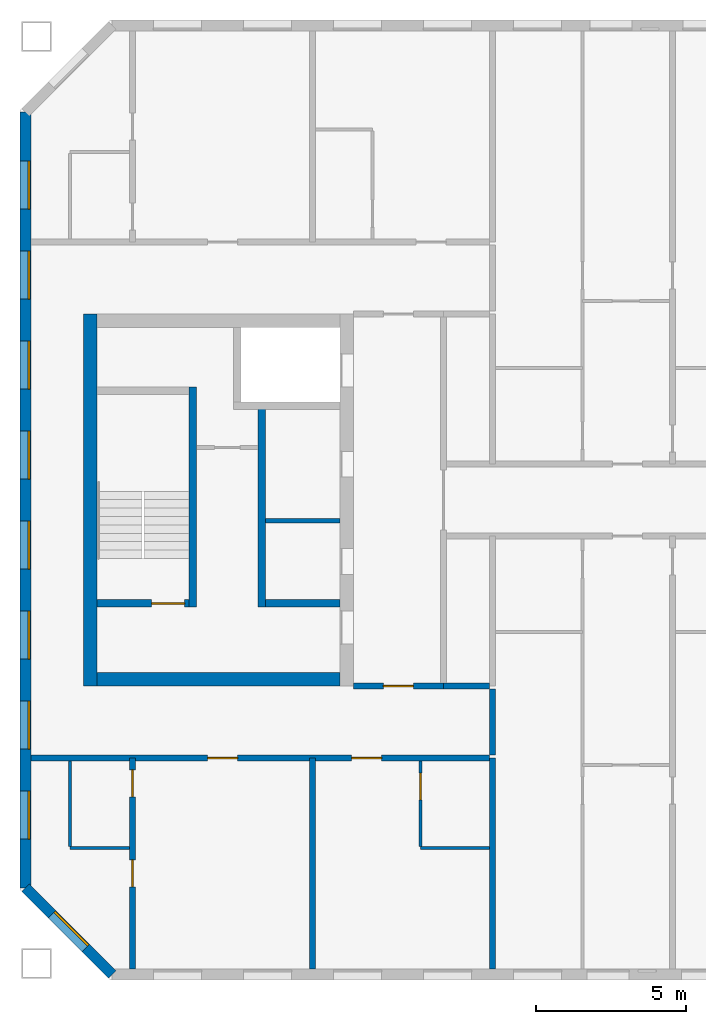
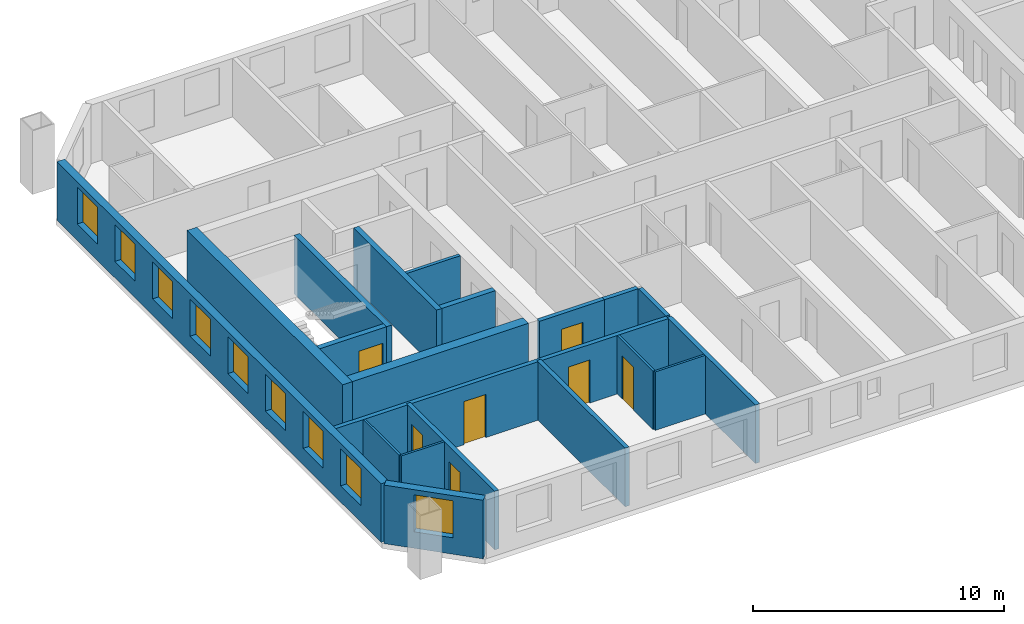
# One storey, part 2 of 15: 20 walls, 9 windows, 7 doors, 16 openings.
"""IFC4 building model written with IfcOpenShell, lengths in metres."""

from ifc_helpers import new_model, si_unit, direction, frame, frame_2d, origin, place, context, subcontext, project, spatial, rectangle, extrude, material, layer, layer_set, type_object, element, fill, save


model = new_model("IFC4")

# Units and contexts
model_context = context("Model", 3, precision=1e-05, world=origin(), true_north=direction((0.0, 1.0)))
body_context = subcontext(model_context, "Body", "Model", "MODEL_VIEW")
ifc_project = project(units=[si_unit("LENGTHUNIT", "METRE"), si_unit("AREAUNIT", "SQUARE_METRE"), si_unit("VOLUMEUNIT", "CUBIC_METRE"), si_unit("PLANEANGLEUNIT", "RADIAN"), si_unit("MASSUNIT", "GRAM", prefix="KILO")], contexts=[model_context])

# Site, building, storey
site_placement = place(None, origin())
site = spatial("IfcSite", under=ifc_project, at=site_placement, CompositionType="ELEMENT")
building_placement = place(site_placement, origin())
building = spatial("IfcBuilding", under=site, at=building_placement, Name="Tuart Gate Housing", CompositionType="ELEMENT")
storey_placement = place(building_placement, frame((0.0, 0.0, 191.300048828125)))
storey = spatial("IfcBuildingStorey", under=building, at=storey_placement, Name="L54", CompositionType="ELEMENT", Elevation=191.300048828125)

# Wall, opening, window
ifc_material_1 = material(Name="Brick", Category="masonry")
ifc_layer_1 = layer(ifc_material_1, 0.360107421875)
ifc_layer_set_1 = layer_set([ifc_layer_1], Name="Brick pier and spandrel wall 360")
wall_type_1 = type_object("IfcWallType", Name="Brick pier and spandrel wall 360", PredefinedType="STANDARD", material=ifc_layer_set_1)
wall_1_placement = place(storey_placement, frame((30.429931640625, 57.07470703125, 0.0), z_axis=(0.0, 0.0, 1.0), x_axis=(0.707106781187, -0.707106781187, 0.0)))
wall_1 = element("IfcWall", 1, at=wall_1_placement, inside=storey, type_object=wall_type_1, Name="External wall A-SW L54", PredefinedType="STANDARD", context=body_context, shape_type="SweptSolid", body=[
    extrude(rectangle(XDim=4.09375, YDim=0.360107421875, at=frame_2d((2.046875, 0.0))), origin(), (0.0, 0.0, 1.0), 2.849853515625),
])
opening_1_placement = place(wall_1_placement, frame((1.2470703125, 0.0, 0.800048828125)))
opening_1 = element("IfcOpeningElement", 2, at=opening_1_placement, cuts=wall_1, Name="Opening W1", PredefinedType="OPENING", context=body_context, shape_type="SweptSolid", body=[
    extrude(rectangle(XDim=1.60009765625, YDim=1.800048828125, at=frame_2d((0.800048828125, 0.89990234375))), frame((0.0, 0.18994140625, 0.0), z_axis=(0.0, -1.0, 0.0), x_axis=(1.0, 0.0, 0.0)), (0.0, 0.0, 1.0), 0.380126953125),
])
ifc_material_2 = material(Name="Aluminium frame with clear glass", Category="aluminium")
window_type = type_object("IfcWindowType", Name="Punched window 1600 x 1800", PartitioningType="SINGLE_PANEL", PredefinedType="WINDOW", material=ifc_material_2)
window_1_placement = place(opening_1_placement, origin())
window_1 = element("IfcWindow", 3, at=window_1_placement, inside=storey, type_object=window_type, Name="Window W1", OverallHeight=1.800048828125, OverallWidth=1.60009765625, PartitioningType="SINGLE_PANEL", PredefinedType="WINDOW", context=body_context, shape_type="SweptSolid", body=[
    extrude(rectangle(XDim=1.60009765625, YDim=1.800048828125, at=frame_2d((0.800048828125, 0.89990234375))), frame((0.0, 0.150146484375, 0.0), z_axis=(0.0, -1.0, 0.0), x_axis=(1.0, 0.0, 0.0)), (0.0, 0.0, 1.0), 0.06005859375),
])
fill(opening_1, window_1)

# Wall, openings, windows
wall_2_placement = place(storey_placement, frame((30.429931640625, 82.92529296875, 0.0), z_axis=(0.0, 0.0, 1.0), x_axis=(0.0, -1.0, 0.0)))
wall_2 = element("IfcWall", 4, at=wall_2_placement, inside=storey, type_object=wall_type_1, Name="External wall A-W L54", PredefinedType="STANDARD", context=body_context, shape_type="SweptSolid", body=[
    extrude(rectangle(XDim=25.850830078125, YDim=0.360107421875, at=frame_2d((12.92529296875, 0.0))), origin(), (0.0, 0.0, 1.0), 2.849853515625),
])
opening_2_placement = place(wall_2_placement, frame((1.62548828125, 0.0, 0.800048828125)))
opening_2 = element("IfcOpeningElement", 5, at=opening_2_placement, cuts=wall_2, Name="Opening W1", PredefinedType="OPENING", context=body_context, shape_type="SweptSolid", body=[
    extrude(rectangle(XDim=1.60009765625, YDim=1.800048828125, at=frame_2d((0.800048828125, 0.89990234375))), frame((0.0, 0.18994140625, 0.0), z_axis=(0.0, -1.0, 0.0), x_axis=(1.0, 0.0, 0.0)), (0.0, 0.0, 1.0), 0.380126953125),
])
opening_3_placement = place(wall_2_placement, frame((4.62548828125, 0.0, 0.800048828125)))
opening_3 = element("IfcOpeningElement", 6, at=opening_3_placement, cuts=wall_2, Name="Opening W1", PredefinedType="OPENING", context=body_context, shape_type="SweptSolid", body=[
    extrude(rectangle(XDim=1.60009765625, YDim=1.800048828125, at=frame_2d((0.800048828125, 0.89990234375))), frame((0.0, 0.18994140625, 0.0), z_axis=(0.0, -1.0, 0.0), x_axis=(1.0, 0.0, 0.0)), (0.0, 0.0, 1.0), 0.380126953125),
])
opening_4_placement = place(wall_2_placement, frame((7.62548828125, 0.0, 0.800048828125)))
opening_4 = element("IfcOpeningElement", 7, at=opening_4_placement, cuts=wall_2, Name="Opening W1", PredefinedType="OPENING", context=body_context, shape_type="SweptSolid", body=[
    extrude(rectangle(XDim=1.60009765625, YDim=1.800048828125, at=frame_2d((0.800048828125, 0.89990234375))), frame((0.0, 0.18994140625, 0.0), z_axis=(0.0, -1.0, 0.0), x_axis=(1.0, 0.0, 0.0)), (0.0, 0.0, 1.0), 0.380126953125),
])
opening_5_placement = place(wall_2_placement, frame((10.62548828125, 0.0, 0.800048828125)))
opening_5 = element("IfcOpeningElement", 8, at=opening_5_placement, cuts=wall_2, Name="Opening W1", PredefinedType="OPENING", context=body_context, shape_type="SweptSolid", body=[
    extrude(rectangle(XDim=1.60009765625, YDim=1.800048828125, at=frame_2d((0.800048828125, 0.89990234375))), frame((0.0, 0.18994140625, 0.0), z_axis=(0.0, -1.0, 0.0), x_axis=(1.0, 0.0, 0.0)), (0.0, 0.0, 1.0), 0.380126953125),
])
opening_6_placement = place(wall_2_placement, frame((13.62548828125, 0.0, 0.800048828125)))
opening_6 = element("IfcOpeningElement", 9, at=opening_6_placement, cuts=wall_2, Name="Opening W1", PredefinedType="OPENING", context=body_context, shape_type="SweptSolid", body=[
    extrude(rectangle(XDim=1.60009765625, YDim=1.800048828125, at=frame_2d((0.800048828125, 0.89990234375))), frame((0.0, 0.18994140625, 0.0), z_axis=(0.0, -1.0, 0.0), x_axis=(1.0, 0.0, 0.0)), (0.0, 0.0, 1.0), 0.380126953125),
])
opening_7_placement = place(wall_2_placement, frame((16.62548828125, 0.0, 0.800048828125)))
opening_7 = element("IfcOpeningElement", 10, at=opening_7_placement, cuts=wall_2, Name="Opening W1", PredefinedType="OPENING", context=body_context, shape_type="SweptSolid", body=[
    extrude(rectangle(XDim=1.60009765625, YDim=1.800048828125, at=frame_2d((0.800048828125, 0.89990234375))), frame((0.0, 0.18994140625, 0.0), z_axis=(0.0, -1.0, 0.0), x_axis=(1.0, 0.0, 0.0)), (0.0, 0.0, 1.0), 0.380126953125),
])
opening_8_placement = place(wall_2_placement, frame((19.62548828125, 0.0, 0.800048828125)))
opening_8 = element("IfcOpeningElement", 11, at=opening_8_placement, cuts=wall_2, Name="Opening W1", PredefinedType="OPENING", context=body_context, shape_type="SweptSolid", body=[
    extrude(rectangle(XDim=1.60009765625, YDim=1.800048828125, at=frame_2d((0.800048828125, 0.89990234375))), frame((0.0, 0.18994140625, 0.0), z_axis=(0.0, -1.0, 0.0), x_axis=(1.0, 0.0, 0.0)), (0.0, 0.0, 1.0), 0.380126953125),
])
opening_9_placement = place(wall_2_placement, frame((22.62548828125, 0.0, 0.800048828125)))
opening_9 = element("IfcOpeningElement", 12, at=opening_9_placement, cuts=wall_2, Name="Opening W1", PredefinedType="OPENING", context=body_context, shape_type="SweptSolid", body=[
    extrude(rectangle(XDim=1.60009765625, YDim=1.800048828125, at=frame_2d((0.800048828125, 0.89990234375))), frame((0.0, 0.18994140625, 0.0), z_axis=(0.0, -1.0, 0.0), x_axis=(1.0, 0.0, 0.0)), (0.0, 0.0, 1.0), 0.380126953125),
])
window_2_placement = place(opening_2_placement, origin())
window_2 = element("IfcWindow", 13, at=window_2_placement, inside=storey, type_object=window_type, Name="Window W1", OverallHeight=1.800048828125, OverallWidth=1.60009765625, PartitioningType="SINGLE_PANEL", PredefinedType="WINDOW", context=body_context, shape_type="SweptSolid", body=[
    extrude(rectangle(XDim=1.60009765625, YDim=1.800048828125, at=frame_2d((0.800048828125, 0.89990234375))), frame((0.0, 0.150146484375, 0.0), z_axis=(0.0, -1.0, 0.0), x_axis=(1.0, 0.0, 0.0)), (0.0, 0.0, 1.0), 0.06005859375),
])
fill(opening_2, window_2)
window_3_placement = place(opening_3_placement, origin())
window_3 = element("IfcWindow", 14, at=window_3_placement, inside=storey, type_object=window_type, Name="Window W1", OverallHeight=1.800048828125, OverallWidth=1.60009765625, PartitioningType="SINGLE_PANEL", PredefinedType="WINDOW", context=body_context, shape_type="SweptSolid", body=[
    extrude(rectangle(XDim=1.60009765625, YDim=1.800048828125, at=frame_2d((0.800048828125, 0.89990234375))), frame((0.0, 0.150146484375, 0.0), z_axis=(0.0, -1.0, 0.0), x_axis=(1.0, 0.0, 0.0)), (0.0, 0.0, 1.0), 0.06005859375),
])
fill(opening_3, window_3)
window_4_placement = place(opening_4_placement, origin())
window_4 = element("IfcWindow", 15, at=window_4_placement, inside=storey, type_object=window_type, Name="Window W1", OverallHeight=1.800048828125, OverallWidth=1.60009765625, PartitioningType="SINGLE_PANEL", PredefinedType="WINDOW", context=body_context, shape_type="SweptSolid", body=[
    extrude(rectangle(XDim=1.60009765625, YDim=1.800048828125, at=frame_2d((0.800048828125, 0.89990234375))), frame((0.0, 0.150146484375, 0.0), z_axis=(0.0, -1.0, 0.0), x_axis=(1.0, 0.0, 0.0)), (0.0, 0.0, 1.0), 0.06005859375),
])
fill(opening_4, window_4)
window_5_placement = place(opening_5_placement, origin())
window_5 = element("IfcWindow", 16, at=window_5_placement, inside=storey, type_object=window_type, Name="Window W1", OverallHeight=1.800048828125, OverallWidth=1.60009765625, PartitioningType="SINGLE_PANEL", PredefinedType="WINDOW", context=body_context, shape_type="SweptSolid", body=[
    extrude(rectangle(XDim=1.60009765625, YDim=1.800048828125, at=frame_2d((0.800048828125, 0.89990234375))), frame((0.0, 0.150146484375, 0.0), z_axis=(0.0, -1.0, 0.0), x_axis=(1.0, 0.0, 0.0)), (0.0, 0.0, 1.0), 0.06005859375),
])
fill(opening_5, window_5)
window_6_placement = place(opening_6_placement, origin())
window_6 = element("IfcWindow", 17, at=window_6_placement, inside=storey, type_object=window_type, Name="Window W1", OverallHeight=1.800048828125, OverallWidth=1.60009765625, PartitioningType="SINGLE_PANEL", PredefinedType="WINDOW", context=body_context, shape_type="SweptSolid", body=[
    extrude(rectangle(XDim=1.60009765625, YDim=1.800048828125, at=frame_2d((0.800048828125, 0.89990234375))), frame((0.0, 0.150146484375, 0.0), z_axis=(0.0, -1.0, 0.0), x_axis=(1.0, 0.0, 0.0)), (0.0, 0.0, 1.0), 0.06005859375),
])
fill(opening_6, window_6)
window_7_placement = place(opening_7_placement, origin())
window_7 = element("IfcWindow", 18, at=window_7_placement, inside=storey, type_object=window_type, Name="Window W1", OverallHeight=1.800048828125, OverallWidth=1.60009765625, PartitioningType="SINGLE_PANEL", PredefinedType="WINDOW", context=body_context, shape_type="SweptSolid", body=[
    extrude(rectangle(XDim=1.60009765625, YDim=1.800048828125, at=frame_2d((0.800048828125, 0.89990234375))), frame((0.0, 0.150146484375, 0.0), z_axis=(0.0, -1.0, 0.0), x_axis=(1.0, 0.0, 0.0)), (0.0, 0.0, 1.0), 0.06005859375),
])
fill(opening_7, window_7)
window_8_placement = place(opening_8_placement, origin())
window_8 = element("IfcWindow", 19, at=window_8_placement, inside=storey, type_object=window_type, Name="Window W1", OverallHeight=1.800048828125, OverallWidth=1.60009765625, PartitioningType="SINGLE_PANEL", PredefinedType="WINDOW", context=body_context, shape_type="SweptSolid", body=[
    extrude(rectangle(XDim=1.60009765625, YDim=1.800048828125, at=frame_2d((0.800048828125, 0.89990234375))), frame((0.0, 0.150146484375, 0.0), z_axis=(0.0, -1.0, 0.0), x_axis=(1.0, 0.0, 0.0)), (0.0, 0.0, 1.0), 0.06005859375),
])
fill(opening_8, window_8)
window_9_placement = place(opening_9_placement, origin())
window_9 = element("IfcWindow", 20, at=window_9_placement, inside=storey, type_object=window_type, Name="Window W1", OverallHeight=1.800048828125, OverallWidth=1.60009765625, PartitioningType="SINGLE_PANEL", PredefinedType="WINDOW", context=body_context, shape_type="SweptSolid", body=[
    extrude(rectangle(XDim=1.60009765625, YDim=1.800048828125, at=frame_2d((0.800048828125, 0.89990234375))), frame((0.0, 0.150146484375, 0.0), z_axis=(0.0, -1.0, 0.0), x_axis=(1.0, 0.0, 0.0)), (0.0, 0.0, 1.0), 0.06005859375),
])
fill(opening_9, window_9)

# Walls
ifc_material_3 = material(Name="Plasterboard partition")
ifc_layer_2 = layer(ifc_material_3, 0.14990234375)
ifc_layer_set_2 = layer_set([ifc_layer_2], Name="Core partition 150")
wall_type_2 = type_object("IfcWallType", Name="Core partition 150", PredefinedType="PARTITIONING", material=ifc_layer_set_2)
wall_3_placement = place(storey_placement, frame((40.909912109375, 69.300048828125, 0.0), z_axis=(0.0, 0.0, 1.0), x_axis=(-1.0, 0.0, 0.0)))
element("IfcWall", 21, at=wall_3_placement, inside=storey, type_object=wall_type_2, Name="Core partition AK.4", PredefinedType="PARTITIONING", context=body_context, shape_type="SweptSolid", body=[
    extrude(rectangle(XDim=2.474853515625, YDim=0.14990234375, at=frame_2d((1.2373046875, 0.0))), origin(), (0.0, 0.0, 1.0), 2.849853515625),
])
ifc_material_4 = material(Name="Concrete C40", Category="concrete")
ifc_layer_3 = layer(ifc_material_4, 0.25)
ifc_layer_set_3 = layer_set([ifc_layer_3], Name="Core wall 250 C40")
wall_type_3 = type_object("IfcWallType", Name="Core wall 250 C40", PredefinedType="SHEAR", material=ifc_layer_set_3)
wall_4_placement = place(storey_placement, frame((40.909912109375, 66.550048828125, 0.0), z_axis=(0.0, 0.0, 1.0), x_axis=(-1.0, 0.0, 0.0)))
element("IfcWall", 22, at=wall_4_placement, inside=storey, type_object=wall_type_3, Name="Core wall AK.5", PredefinedType="SHEAR", context=body_context, shape_type="SweptSolid", body=[
    extrude(rectangle(XDim=2.474853515625, YDim=0.25, at=frame_2d((1.2373046875, 0.0))), origin(), (0.0, 0.0, 1.0), 2.849853515625),
])

# Wall, opening, door
wall_5_placement = place(storey_placement, frame((35.885009765625, 66.550048828125, 0.0), z_axis=(0.0, 0.0, 1.0), x_axis=(-1.0, 0.0, 0.0)))
wall_5 = element("IfcWall", 23, at=wall_5_placement, inside=storey, type_object=wall_type_3, Name="Core wall AK.6", PredefinedType="SHEAR", context=body_context, shape_type="SweptSolid", body=[
    extrude(rectangle(XDim=3.074951171875, YDim=0.25, at=frame_2d((1.53759765625, 0.0))), origin(), (0.0, 0.0, 1.0), 2.849853515625),
])
opening_10_placement = place(wall_5_placement, frame((0.14990234375, 0.0, 0.0)))
opening_10 = element("IfcOpeningElement", 24, at=opening_10_placement, cuts=wall_5, Name="Opening D2642", PredefinedType="OPENING", context=body_context, shape_type="SweptSolid", body=[
    extrude(rectangle(XDim=1.10009765625, YDim=2.10009765625, at=frame_2d((0.550048828125, 1.050048828125))), frame((0.0, 0.135009765625, 0.0), z_axis=(0.0, -1.0, 0.0), x_axis=(1.0, 0.0, 0.0)), (0.0, 0.0, 1.0), 0.27001953125),
])
ifc_material_5 = material(Name="Steel fire door", Category="steel")
door_type_1 = type_object("IfcDoorType", Name="Stair door 1100 x 2100 RH", OperationType="SINGLE_SWING_RIGHT", PredefinedType="DOOR", material=ifc_material_5)
door_1_placement = place(opening_10_placement, frame((1.10009765625, 0.0, 0.0), z_axis=(0.0, 0.0, 1.0), x_axis=(-1.0, 0.0, 0.0)))
door_1 = element("IfcDoor", 25, at=door_1_placement, inside=storey, type_object=door_type_1, Name="Stair door AK.SD", OperationType="SINGLE_SWING_RIGHT", OverallHeight=2.10009765625, OverallWidth=1.10009765625, PredefinedType="DOOR", context=body_context, shape_type="SweptSolid", body=[
    extrude(rectangle(XDim=1.10009765625, YDim=2.10009765625, at=frame_2d((0.550048828125, 1.050048828125))), frame((0.0, 0.025146484375, 0.0), z_axis=(0.0, -1.0, 0.0), x_axis=(1.0, 0.0, 0.0)), (0.0, 0.0, 1.0), 0.050048828125),
])
fill(opening_10, door_1)

# Walls
wall_6_placement = place(storey_placement, frame((38.31005859375, 73.02490234375, 0.0), z_axis=(0.0, 0.0, 1.0), x_axis=(0.0, -1.0, 0.0)))
element("IfcWall", 26, at=wall_6_placement, inside=storey, type_object=wall_type_3, Name="Core wall AK.7", PredefinedType="SHEAR", context=body_context, shape_type="SweptSolid", body=[
    extrude(rectangle(XDim=6.599853515625, YDim=0.25, at=frame_2d((3.2998046875, 0.0))), origin(), (0.0, 0.0, 1.0), 2.849853515625),
])
wall_7_placement = place(storey_placement, frame((36.010009765625, 73.77490234375, 0.0), z_axis=(0.0, 0.0, 1.0), x_axis=(0.0, -1.0, 0.0)))
element("IfcWall", 27, at=wall_7_placement, inside=storey, type_object=wall_type_3, Name="Core wall AK.9", PredefinedType="SHEAR", context=body_context, shape_type="SweptSolid", body=[
    extrude(rectangle(XDim=7.349853515625, YDim=0.25, at=frame_2d((3.6748046875, 0.0))), origin(), (0.0, 0.0, 1.0), 2.849853515625),
])
ifc_material_6 = material(Name="Concrete C40", Category="concrete")
ifc_layer_4 = layer(ifc_material_6, 0.449951171875)
ifc_layer_set_4 = layer_set([ifc_layer_4], Name="Core wall 450 C40")
wall_type_4 = type_object("IfcWallType", Name="Core wall 450 C40", PredefinedType="SHEAR", material=ifc_layer_set_4)
wall_8_placement = place(storey_placement, frame((32.5849609375, 76.199951171875, 0.0), z_axis=(0.0, 0.0, 1.0), x_axis=(0.0, -1.0, 0.0)))
element("IfcWall", 28, at=wall_8_placement, inside=storey, type_object=wall_type_4, Name="Core wall AK back", PredefinedType="SHEAR", context=body_context, shape_type="SweptSolid", body=[
    extrude(rectangle(XDim=12.39990234375, YDim=0.449951171875, at=frame_2d((6.199951171875, 0.0))), origin(), (0.0, 0.0, 1.0), 2.849853515625),
])
wall_9_placement = place(storey_placement, frame((40.909912109375, 64.02490234375, 0.0), z_axis=(0.0, 0.0, 1.0), x_axis=(-1.0, 0.0, 0.0)))
element("IfcWall", 29, at=wall_9_placement, inside=storey, type_object=wall_type_4, Name="Core wall AK north", PredefinedType="SHEAR", context=body_context, shape_type="SweptSolid", body=[
    extrude(rectangle(XDim=8.099853515625, YDim=0.449951171875, at=frame_2d((4.0498046875, 0.0))), origin(), (0.0, 0.0, 1.0), 2.849853515625),
])

# Wall, openings, doors
ifc_material_7 = material(Name="Concrete masonry 15 MPa", Category="masonry")
ifc_layer_5 = layer(ifc_material_7, 0.199951171875)
ifc_layer_set_5 = layer_set([ifc_layer_5], Name="Corridor wall masonry 200")
wall_type_5 = type_object("IfcWallType", Name="Corridor wall masonry 200", PredefinedType="PARTITIONING", material=ifc_layer_set_5)
wall_10_placement = place(storey_placement, frame((30.610107421875, 61.39990234375, 0.0), z_axis=(0.0, 0.0, 1.0), x_axis=(1.0, 0.0, 0.0)))
wall_10 = element("IfcWall", 30, at=wall_10_placement, inside=storey, type_object=wall_type_5, Name="Corridor wall masonry 200", PredefinedType="PARTITIONING", context=body_context, shape_type="SweptSolid", body=[
    extrude(rectangle(XDim=15.289794921875, YDim=0.199951171875, at=frame_2d((7.64501953125, 0.0))), origin(), (0.0, 0.0, 1.0), 2.849853515625),
])
opening_11_placement = place(wall_10_placement, frame((10.68994140625, 0.0, 0.0)))
opening_11 = element("IfcOpeningElement", 31, at=opening_11_placement, cuts=wall_10, Name="Opening D2653", PredefinedType="OPENING", context=body_context, shape_type="SweptSolid", body=[
    extrude(rectangle(XDim=1.0, YDim=2.10009765625, at=frame_2d((0.5, 1.050048828125))), frame((0.0, 0.10986328125, 0.0), z_axis=(0.0, -1.0, 0.0), x_axis=(1.0, 0.0, 0.0)), (0.0, 0.0, 1.0), 0.219970703125),
])
opening_12_placement = place(wall_10_placement, frame((5.889892578125, 0.0, 0.0)))
opening_12 = element("IfcOpeningElement", 32, at=opening_12_placement, cuts=wall_10, Name="Opening D2654", PredefinedType="OPENING", context=body_context, shape_type="SweptSolid", body=[
    extrude(rectangle(XDim=1.0, YDim=2.10009765625, at=frame_2d((0.5, 1.050048828125))), frame((0.0, 0.10986328125, 0.0), z_axis=(0.0, -1.0, 0.0), x_axis=(1.0, 0.0, 0.0)), (0.0, 0.0, 1.0), 0.219970703125),
])
ifc_material_8 = material(Name="Timber door leaf in steel frame", Category="steel")
door_type_2 = type_object("IfcDoorType", Name="Flat entrance door 1000 RH", OperationType="SINGLE_SWING_RIGHT", PredefinedType="DOOR", material=ifc_material_8)
door_2_placement = place(opening_11_placement, frame((1.0, 0.0, 0.0), z_axis=(0.0, 0.0, 1.0), x_axis=(-1.0, 0.0, 0.0)))
door_2 = element("IfcDoor", 33, at=door_2_placement, inside=storey, type_object=door_type_2, Name="Flat entrance door", OperationType="SINGLE_SWING_RIGHT", OverallHeight=2.10009765625, OverallWidth=1.0, PredefinedType="DOOR", context=body_context, shape_type="SweptSolid", body=[
    extrude(rectangle(XDim=1.0, YDim=2.10009765625, at=frame_2d((0.5, 1.050048828125))), frame((0.0, 0.025146484375, 0.0), z_axis=(0.0, -1.0, 0.0), x_axis=(1.0, 0.0, 0.0)), (0.0, 0.0, 1.0), 0.050048828125),
])
fill(opening_11, door_2)
door_3_placement = place(opening_12_placement, frame((1.0, 0.0, 0.0), z_axis=(0.0, 0.0, 1.0), x_axis=(-1.0, 0.0, 0.0)))
door_3 = element("IfcDoor", 34, at=door_3_placement, inside=storey, type_object=door_type_2, Name="Flat entrance door", OperationType="SINGLE_SWING_RIGHT", OverallHeight=2.10009765625, OverallWidth=1.0, PredefinedType="DOOR", context=body_context, shape_type="SweptSolid", body=[
    extrude(rectangle(XDim=1.0, YDim=2.10009765625, at=frame_2d((0.5, 1.050048828125))), frame((0.0, 0.025146484375, 0.0), z_axis=(0.0, -1.0, 0.0), x_axis=(1.0, 0.0, 0.0)), (0.0, 0.0, 1.0), 0.050048828125),
])
fill(opening_12, door_3)

# Walls
wall_11_placement = place(storey_placement, frame((44.360107421875, 63.800048828125, 0.0), z_axis=(0.0, 0.0, 1.0), x_axis=(1.0, 0.0, 0.0)))
element("IfcWall", 35, at=wall_11_placement, inside=storey, type_object=wall_type_5, Name="Corridor wall masonry 200", PredefinedType="PARTITIONING", context=body_context, shape_type="SweptSolid", body=[
    extrude(rectangle(XDim=1.539794921875, YDim=0.199951171875, at=frame_2d((0.77001953125, 0.0))), origin(), (0.0, 0.0, 1.0), 2.849853515625),
])
wall_12_placement = place(storey_placement, frame((46.0, 61.5, 0.0), z_axis=(0.0, 0.0, 1.0), x_axis=(0.0, 1.0, 0.0)))
element("IfcWall", 36, at=wall_12_placement, inside=storey, type_object=wall_type_5, Name="Corridor wall masonry 200", PredefinedType="PARTITIONING", context=body_context, shape_type="SweptSolid", body=[
    extrude(rectangle(XDim=2.199951171875, YDim=0.199951171875, at=frame_2d((1.10009765625, 0.0))), origin(), (0.0, 0.0, 1.0), 2.849853515625),
])

# Wall, opening, door
ifc_material_9 = material(Name="Concrete masonry 15 MPa", Category="masonry")
ifc_layer_6 = layer(ifc_material_9, 0.199951171875)
ifc_layer_set_6 = layer_set([ifc_layer_6], Name="Enclosure wall masonry 200")
wall_type_6 = type_object("IfcWallType", Name="Enclosure wall masonry 200", PredefinedType="PARTITIONING", material=ifc_layer_set_6)
wall_13_placement = place(storey_placement, frame((41.360107421875, 63.800048828125, 0.0), z_axis=(0.0, 0.0, 1.0), x_axis=(1.0, 0.0, 0.0)))
wall_13 = element("IfcWall", 37, at=wall_13_placement, inside=storey, type_object=wall_type_6, Name="Enclosure wall masonry 200", PredefinedType="PARTITIONING", context=body_context, shape_type="SweptSolid", body=[
    extrude(rectangle(XDim=3.0, YDim=0.199951171875, at=frame_2d((1.5, 0.0))), origin(), (0.0, 0.0, 1.0), 2.849853515625),
])
opening_13_placement = place(wall_13_placement, frame((1.0, 0.0, 0.0)))
opening_13 = element("IfcOpeningElement", 38, at=opening_13_placement, cuts=wall_13, Name="Opening D2643", PredefinedType="OPENING", context=body_context, shape_type="SweptSolid", body=[
    extrude(rectangle(XDim=1.0, YDim=2.10009765625, at=frame_2d((0.5, 1.050048828125))), frame((0.0, 0.10986328125, 0.0), z_axis=(0.0, -1.0, 0.0), x_axis=(1.0, 0.0, 0.0)), (0.0, 0.0, 1.0), 0.219970703125),
])
ifc_material_10 = material(Name="Timber door leaf in steel frame", Category="steel")
door_type_3 = type_object("IfcDoorType", Name="Fire door 1000", OperationType="SINGLE_SWING_LEFT", PredefinedType="DOOR", material=ifc_material_10)
door_4_placement = place(opening_13_placement, frame((1.0, 0.0, 0.0), z_axis=(0.0, 0.0, 1.0), x_axis=(-1.0, 0.0, 0.0)))
door_4 = element("IfcDoor", 39, at=door_4_placement, inside=storey, type_object=door_type_3, Name="Fire door", OperationType="SINGLE_SWING_LEFT", OverallHeight=2.10009765625, OverallWidth=1.0, PredefinedType="DOOR", context=body_context, shape_type="SweptSolid", body=[
    extrude(rectangle(XDim=1.0, YDim=2.10009765625, at=frame_2d((0.5, 1.050048828125))), frame((0.0, 0.025146484375, 0.0), z_axis=(0.0, -1.0, 0.0), x_axis=(1.0, 0.0, 0.0)), (0.0, 0.0, 1.0), 0.050048828125),
])
fill(opening_13, door_4)

# Walls
ifc_material_11 = material(Name="Gypsum board on steel studs", Category="steel")
ifc_layer_7 = layer(ifc_material_11, 0.10009765625)
ifc_layer_set_7 = layer_set([ifc_layer_7], Name="Partition 100")
wall_type_7 = type_object("IfcWallType", Name="Partition 100", PredefinedType="PARTITIONING", material=ifc_layer_set_7)
wall_14_placement = place(storey_placement, frame((31.909912109375, 58.39990234375, 0.0), z_axis=(0.0, 0.0, 1.0), x_axis=(1.0, 0.0, 0.0)))
element("IfcWall", 40, at=wall_14_placement, inside=storey, type_object=wall_type_7, Name="Partition 100", PredefinedType="PARTITIONING", context=body_context, shape_type="SweptSolid", body=[
    extrude(rectangle(XDim=1.989990234375, YDim=0.10009765625, at=frame_2d((0.9951171875, 0.0))), origin(), (0.0, 0.0, 1.0), 2.849853515625),
])
wall_15_placement = place(storey_placement, frame((43.60009765625, 58.39990234375, 0.0), z_axis=(0.0, 0.0, 1.0), x_axis=(1.0, 0.0, 0.0)))
element("IfcWall", 41, at=wall_15_placement, inside=storey, type_object=wall_type_7, Name="Partition 100", PredefinedType="PARTITIONING", context=body_context, shape_type="SweptSolid", body=[
    extrude(rectangle(XDim=2.2998046875, YDim=0.10009765625, at=frame_2d((1.14990234375, 0.0))), origin(), (0.0, 0.0, 1.0), 2.849853515625),
])
wall_16_placement = place(storey_placement, frame((31.909912109375, 58.449951171875, 0.0), z_axis=(0.0, 0.0, 1.0), x_axis=(0.0, 1.0, 0.0)))
element("IfcWall", 42, at=wall_16_placement, inside=storey, type_object=wall_type_7, Name="Partition 100", PredefinedType="PARTITIONING", context=body_context, shape_type="SweptSolid", body=[
    extrude(rectangle(XDim=2.85009765625, YDim=0.10009765625, at=frame_2d((1.425048828125, 0.0))), origin(), (0.0, 0.0, 1.0), 2.849853515625),
])

# Wall, opening, door
wall_17_placement = place(storey_placement, frame((43.60009765625, 58.449951171875, 0.0), z_axis=(0.0, 0.0, 1.0), x_axis=(0.0, 1.0, 0.0)))
wall_17 = element("IfcWall", 43, at=wall_17_placement, inside=storey, type_object=wall_type_7, Name="Partition 100", PredefinedType="PARTITIONING", context=body_context, shape_type="SweptSolid", body=[
    extrude(rectangle(XDim=2.85009765625, YDim=0.10009765625, at=frame_2d((1.425048828125, 0.0))), origin(), (0.0, 0.0, 1.0), 2.849853515625),
])
opening_14_placement = place(wall_17_placement, frame((1.550048828125, 0.0, 0.0)))
opening_14 = element("IfcOpeningElement", 44, at=opening_14_placement, cuts=wall_17, Name="Opening D2659", PredefinedType="OPENING", context=body_context, shape_type="SweptSolid", body=[
    extrude(rectangle(XDim=0.89990234375, YDim=2.10009765625, at=frame_2d((0.449951171875, 1.050048828125))), frame((0.0, 0.06005859375, 0.0), z_axis=(0.0, -1.0, 0.0), x_axis=(1.0, 0.0, 0.0)), (0.0, 0.0, 1.0), 0.1201171875),
])
ifc_material_12 = material(Name="Timber door leaf in steel frame", Category="steel")
door_type_4 = type_object("IfcDoorType", Name="Bathroom door 900", OperationType="SINGLE_SWING_LEFT", PredefinedType="DOOR", material=ifc_material_12)
door_5_placement = place(opening_14_placement, frame((0.89990234375, 0.0, 0.0), z_axis=(0.0, 0.0, 1.0), x_axis=(-1.0, 0.0, 0.0)))
door_5 = element("IfcDoor", 45, at=door_5_placement, inside=storey, type_object=door_type_4, Name="Bathroom door", OperationType="SINGLE_SWING_LEFT", OverallHeight=2.10009765625, OverallWidth=0.89990234375, PredefinedType="DOOR", context=body_context, shape_type="SweptSolid", body=[
    extrude(rectangle(XDim=0.89990234375, YDim=2.10009765625, at=frame_2d((0.449951171875, 1.050048828125))), frame((0.0, 0.025146484375, 0.0), z_axis=(0.0, -1.0, 0.0), x_axis=(1.0, 0.0, 0.0)), (0.0, 0.0, 1.0), 0.050048828125),
])
fill(opening_14, door_5)

# Wall, openings, doors
ifc_material_13 = material(Name="Concrete C40", Category="concrete")
ifc_layer_8 = layer(ifc_material_13, 0.199951171875)
ifc_layer_set_8 = layer_set([ifc_layer_8], Name="Party wall concrete C40 200")
wall_type_8 = type_object("IfcWallType", Name="Party wall concrete C40 200", PredefinedType="SOLIDWALL", material=ifc_layer_set_8)
wall_18_placement = place(storey_placement, frame((34.0, 54.360107421875, 0.0), z_axis=(0.0, 0.0, 1.0), x_axis=(0.0, 1.0, 0.0)))
wall_18 = element("IfcWall", 46, at=wall_18_placement, inside=storey, type_object=wall_type_8, Name="Party wall concrete C40 200", PredefinedType="SOLIDWALL", context=body_context, shape_type="SweptSolid", body=[
    extrude(rectangle(XDim=7.039794921875, YDim=0.199951171875, at=frame_2d((3.52001953125, 0.0))), origin(), (0.0, 0.0, 1.0), 2.849853515625),
])
opening_15_placement = place(wall_18_placement, frame((2.739990234375, 0.0, 0.0)))
opening_15 = element("IfcOpeningElement", 47, at=opening_15_placement, cuts=wall_18, Name="Opening D2663", PredefinedType="OPENING", context=body_context, shape_type="SweptSolid", body=[
    extrude(rectangle(XDim=0.89990234375, YDim=2.10009765625, at=frame_2d((0.449951171875, 1.050048828125))), frame((0.0, 0.10986328125, 0.0), z_axis=(0.0, -1.0, 0.0), x_axis=(1.0, 0.0, 0.0)), (0.0, 0.0, 1.0), 0.219970703125),
])
opening_16_placement = place(wall_18_placement, frame((5.739990234375, 0.0, 0.0)))
opening_16 = element("IfcOpeningElement", 48, at=opening_16_placement, cuts=wall_18, Name="Opening D2662", PredefinedType="OPENING", context=body_context, shape_type="SweptSolid", body=[
    extrude(rectangle(XDim=0.89990234375, YDim=2.10009765625, at=frame_2d((0.449951171875, 1.050048828125))), frame((0.0, 0.10986328125, 0.0), z_axis=(0.0, -1.0, 0.0), x_axis=(1.0, 0.0, 0.0)), (0.0, 0.0, 1.0), 0.219970703125),
])
ifc_material_14 = material(Name="Timber door leaf in steel frame", Category="steel")
door_type_5 = type_object("IfcDoorType", Name="Bathroom door 900 RH", OperationType="SINGLE_SWING_RIGHT", PredefinedType="DOOR", material=ifc_material_14)
door_6_placement = place(opening_16_placement, origin())
door_6 = element("IfcDoor", 49, at=door_6_placement, inside=storey, type_object=door_type_5, Name="Bathroom door", OperationType="SINGLE_SWING_RIGHT", OverallHeight=2.10009765625, OverallWidth=0.89990234375, PredefinedType="DOOR", context=body_context, shape_type="SweptSolid", body=[
    extrude(rectangle(XDim=0.89990234375, YDim=2.10009765625, at=frame_2d((0.449951171875, 1.050048828125))), frame((0.0, 0.02490234375, 0.0), z_axis=(0.0, -1.0, 0.0), x_axis=(1.0, 0.0, 0.0)), (0.0, 0.0, 1.0), 0.050048828125),
])
fill(opening_16, door_6)
ifc_material_15 = material(Name="Timber door leaf in steel frame", Category="steel")
door_type_6 = type_object("IfcDoorType", Name="Internal door 900 RH", OperationType="SINGLE_SWING_RIGHT", PredefinedType="DOOR", material=ifc_material_15)
door_7_placement = place(opening_15_placement, origin())
door_7 = element("IfcDoor", 50, at=door_7_placement, inside=storey, type_object=door_type_6, Name="Internal door", OperationType="SINGLE_SWING_RIGHT", OverallHeight=2.10009765625, OverallWidth=0.89990234375, PredefinedType="DOOR", context=body_context, shape_type="SweptSolid", body=[
    extrude(rectangle(XDim=0.89990234375, YDim=2.10009765625, at=frame_2d((0.449951171875, 1.050048828125))), frame((0.0, 0.02490234375, 0.0), z_axis=(0.0, -1.0, 0.0), x_axis=(1.0, 0.0, 0.0)), (0.0, 0.0, 1.0), 0.050048828125),
])
fill(opening_15, door_7)

# Walls
for number, where, z_axis, x_axis, name in (
    (51, (40.0, 54.360107421875, 0.0), (0.0, 0.0, 1.0), (0.0, 1.0, 0.0), "Party wall concrete C40 200"),
    (52, (46.0, 54.360107421875, 0.0), (0.0, 0.0, 1.0), (0.0, 1.0, 0.0), "Party wall concrete C40 200"),
):
    element("IfcWall", number, at=place(storey_placement, frame(where, z_axis=z_axis, x_axis=x_axis)), inside=storey, type_object=wall_type_8, Name=name, PredefinedType="SOLIDWALL", context=body_context, shape_type="SweptSolid", body=[
        extrude(rectangle(XDim=7.039794921875, YDim=0.199951171875, at=frame_2d((3.52001953125, 0.0))), origin(), (0.0, 0.0, 1.0), 2.849853515625),
    ])

save(model, "model.ifc")
